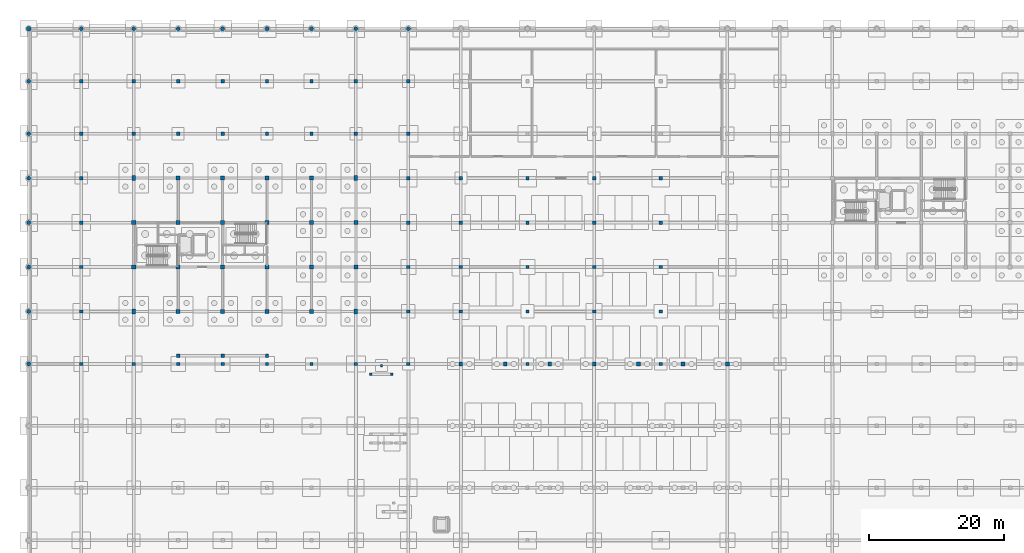
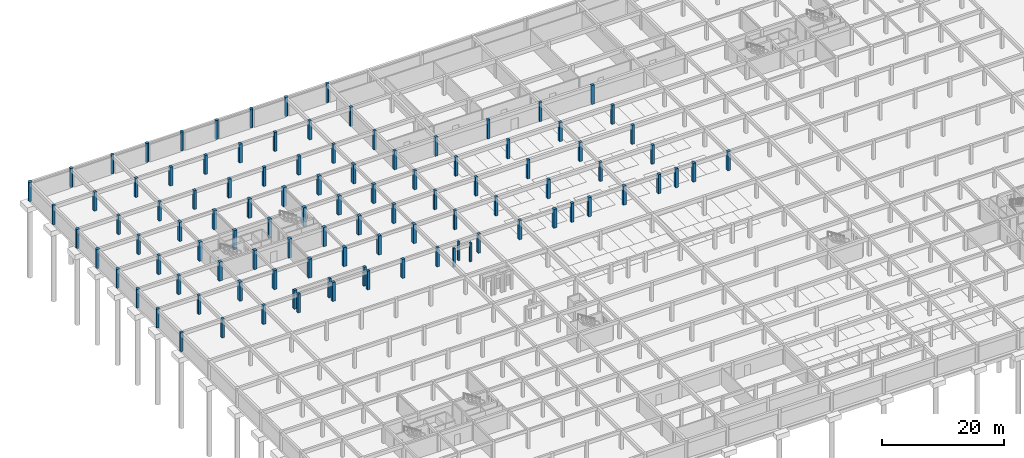
# One storey, part 13 of 37: 103 columns.
"""IFC4 building model written with IfcOpenShell, lengths in metres."""

from ifc_helpers import new_model, si_unit, direction, frame, origin, origin_2d, place, context, subcontext, project, spatial, rectangle, circle, extrude, material, material_profile, profile_set, type_object, element, save


model = new_model("IFC4")

# Units and contexts
model_context = context("Model", 3, precision=1e-05, world=origin(), true_north=direction((0.0, 1.0)))
body_context = subcontext(model_context, "Body", "Model", "MODEL_VIEW")
ifc_project = project(units=[si_unit("LENGTHUNIT", "METRE"), si_unit("AREAUNIT", "SQUARE_METRE"), si_unit("VOLUMEUNIT", "CUBIC_METRE"), si_unit("PLANEANGLEUNIT", "RADIAN"), si_unit("MASSUNIT", "GRAM", prefix="KILO")], contexts=[model_context])

# Site, building, storey
site_placement = place(None, origin())
site = spatial("IfcSite", under=ifc_project, at=site_placement, CompositionType="ELEMENT")
building_placement = place(site_placement, origin())
building = spatial("IfcBuilding", under=site, at=building_placement, Name="Kernevlak Ridge Housing Community", CompositionType="ELEMENT")
storey_placement = place(building_placement, frame((0.0, 0.0, -3.800048828125)))
storey = spatial("IfcBuildingStorey", under=building, at=storey_placement, Name="B1", CompositionType="ELEMENT", Elevation=-3.800048828125)

# Columns
ifc_material_1 = material(Name="Concrete C40/50", Category="concrete")
ifc_material_profile_1 = material_profile(ifc_material_1, rectangle(XDim=0.60009765625, YDim=0.60009765625, at=origin_2d()), Name="RC 600x600")
ifc_profile_set_1 = profile_set([ifc_material_profile_1], Name="Concrete C40/50")
column_type_1 = type_object("IfcColumnType", Name="C-01", PredefinedType="COLUMN", material=ifc_profile_set_1)
for number, where, z_axis, x_axis, name in (
    (1, (15.60009765625, 82.60009765625, 0.0), (0.0, 0.0, 1.0), (1.0, 0.0, 0.0), "Column C-01 COL-A-B1-00-1"),
    (2, (15.60009765625, 89.199951171875, 0.0), (0.0, 0.0, 1.0), (1.0, 0.0, 0.0), "Column C-01 COL-A-B1-00-2"),
    (3, (22.199951171875, 76.0, 0.0), (0.0, 0.0, 1.0), (1.0, 0.0, 0.0), "Column C-01 COL-A-B1-01-0"),
    (4, (22.199951171875, 82.60009765625, 0.0), (0.0, 0.0, 1.0), (1.0, 0.0, 0.0), "Column C-01 COL-A-B1-01-1"),
    (5, (22.199951171875, 89.199951171875, 0.0), (0.0, 0.0, 1.0), (1.0, 0.0, 0.0), "Column C-01 COL-A-B1-01-2"),
    (6, (22.199951171875, 95.800048828125, 0.0), (0.0, 0.0, 1.0), (1.0, 0.0, 0.0), "Column C-01 COL-A-B1-01-3"),
    (7, (28.800048828125, 76.0, 0.0), (0.0, 0.0, 1.0), (1.0, 0.0, 0.0), "Column C-01 COL-A-B1-02-0"),
    (8, (28.800048828125, 82.60009765625, 0.0), (0.0, 0.0, 1.0), (1.0, 0.0, 0.0), "Column C-01 COL-A-B1-02-1"),
    (9, (28.800048828125, 89.199951171875, 0.0), (0.0, 0.0, 1.0), (1.0, 0.0, 0.0), "Column C-01 COL-A-B1-02-2"),
    (10, (28.800048828125, 95.800048828125, 0.0), (0.0, 0.0, 1.0), (1.0, 0.0, 0.0), "Column C-01 COL-A-B1-02-3"),
    (11, (35.39990234375, 76.0, 0.0), (0.0, 0.0, 1.0), (1.0, 0.0, 0.0), "Column C-01 COL-A-B1-03-0"),
    (12, (35.39990234375, 82.60009765625, 0.0), (0.0, 0.0, 1.0), (1.0, 0.0, 0.0), "Column C-01 COL-A-B1-03-1"),
    (13, (35.39990234375, 89.199951171875, 0.0), (0.0, 0.0, 1.0), (1.0, 0.0, 0.0), "Column C-01 COL-A-B1-03-2"),
    (14, (35.39990234375, 95.800048828125, 0.0), (0.0, 0.0, 1.0), (1.0, 0.0, 0.0), "Column C-01 COL-A-B1-03-3"),
    (15, (42.0, 76.0, 0.0), (0.0, 0.0, 1.0), (1.0, 0.0, 0.0), "Column C-01 COL-A-B1-04-0"),
    (16, (42.0, 82.60009765625, 0.0), (0.0, 0.0, 1.0), (1.0, 0.0, 0.0), "Column C-01 COL-A-B1-04-1"),
    (17, (42.0, 89.199951171875, 0.0), (0.0, 0.0, 1.0), (1.0, 0.0, 0.0), "Column C-01 COL-A-B1-04-2"),
    (18, (42.0, 95.800048828125, 0.0), (0.0, 0.0, 1.0), (1.0, 0.0, 0.0), "Column C-01 COL-A-B1-04-3"),
    (19, (48.60009765625, 82.60009765625, 0.0), (0.0, 0.0, 1.0), (1.0, 0.0, 0.0), "Column C-01 COL-A-B1-05-1"),
    (20, (48.60009765625, 89.199951171875, 0.0), (0.0, 0.0, 1.0), (1.0, 0.0, 0.0), "Column C-01 COL-A-B1-05-2"),
):
    element("IfcColumn", number, at=place(storey_placement, frame(where, z_axis=z_axis, x_axis=x_axis)), inside=storey, type_object=column_type_1, Name=name, PredefinedType="COLUMN", context=body_context, shape_type="SweptSolid", body=[
        extrude(rectangle(XDim=0.60009765625, YDim=0.60009765625, at=origin_2d()), origin(), (0.0, 0.0, 1.0), 3.800048828125),
    ])
ifc_material_profile_2 = material_profile(ifc_material_1, rectangle(XDim=0.550048828125, YDim=0.550048828125, at=origin_2d()), Name="RC 550x550")
ifc_profile_set_2 = profile_set([ifc_material_profile_2], Name="Concrete C40/50")
column_type_2 = type_object("IfcColumnType", Name="C-02", PredefinedType="COLUMN", material=ifc_profile_set_2)
for number, where, z_axis, x_axis, name in (
    (21, (64.199951171875, 68.199951171875, 0.0), (0.0, 0.0, 1.0), (1.0, 0.0, 0.0), "Column C-02 COL-HALL-B1-0-1"),
    (22, (70.800048828125, 68.199951171875, 0.0), (0.0, 0.0, 1.0), (1.0, 0.0, 0.0), "Column C-02 COL-HALL-B1-1-1"),
    (23, (77.39990234375, 68.199951171875, 0.0), (0.0, 0.0, 1.0), (1.0, 0.0, 0.0), "Column C-02 COL-HALL-B1-2-1"),
    (24, (84.0, 68.199951171875, 0.0), (0.0, 0.0, 1.0), (1.0, 0.0, 0.0), "Column C-02 COL-HALL-B1-3-1"),
    (25, (90.60009765625, 68.199951171875, 0.0), (0.0, 0.0, 1.0), (1.0, 0.0, 0.0), "Column C-02 COL-HALL-B1-4-1"),
    (26, (97.199951171875, 68.199951171875, 0.0), (0.0, 0.0, 1.0), (1.0, 0.0, 0.0), "Column C-02 COL-HALL-B1-5-1"),
    (27, (103.800048828125, 68.199951171875, 0.0), (0.0, 0.0, 1.0), (1.0, 0.0, 0.0), "Column C-02 COL-HALL-B1-6-1"),
):
    element("IfcColumn", number, at=place(storey_placement, frame(where, z_axis=z_axis, x_axis=x_axis)), inside=storey, type_object=column_type_2, Name=name, PredefinedType="COLUMN", context=body_context, shape_type="SweptSolid", body=[
        extrude(rectangle(XDim=0.550048828125, YDim=0.550048828125, at=origin_2d()), origin(), (0.0, 0.0, 1.0), 3.800048828125),
    ])
ifc_material_profile_3 = material_profile(ifc_material_1, rectangle(XDim=0.5, YDim=0.5, at=origin_2d()), Name="RC 500x500")
ifc_profile_set_3 = profile_set([ifc_material_profile_3], Name="Concrete C40/50")
column_type_3 = type_object("IfcColumnType", Name="C-03", PredefinedType="COLUMN", material=ifc_profile_set_3)
for number, where, z_axis, x_axis, name in (
    (28, (7.800048828125, 68.199951171875, 0.0), (0.0, 0.0, 1.0), (1.0, 0.0, 0.0), "Column C-03 COL-POD-B1-026"),
    (29, (7.800048828125, 76.0, 0.0), (0.0, 0.0, 1.0), (1.0, 0.0, 0.0), "Column C-03 COL-POD-B1-027"),
    (30, (7.800048828125, 82.60009765625, 0.0), (0.0, 0.0, 1.0), (1.0, 0.0, 0.0), "Column C-03 COL-POD-B1-028"),
    (31, (7.800048828125, 89.199951171875, 0.0), (0.0, 0.0, 1.0), (1.0, 0.0, 0.0), "Column C-03 COL-POD-B1-029"),
    (32, (7.800048828125, 95.800048828125, 0.0), (0.0, 0.0, 1.0), (1.0, 0.0, 0.0), "Column C-03 COL-POD-B1-030"),
    (33, (7.800048828125, 102.39990234375, 0.0), (0.0, 0.0, 1.0), (1.0, 0.0, 0.0), "Column C-03 COL-POD-B1-031"),
    (34, (7.800048828125, 110.199951171875, 0.0), (0.0, 0.0, 1.0), (1.0, 0.0, 0.0), "Column C-03 COL-POD-B1-032"),
    (35, (15.60009765625, 68.199951171875, 0.0), (0.0, 0.0, 1.0), (1.0, 0.0, 0.0), "Column C-03 COL-POD-B1-039"),
    (36, (15.60009765625, 102.39990234375, 0.0), (0.0, 0.0, 1.0), (1.0, 0.0, 0.0), "Column C-03 COL-POD-B1-040"),
    (37, (15.60009765625, 110.199951171875, 0.0), (0.0, 0.0, 1.0), (1.0, 0.0, 0.0), "Column C-03 COL-POD-B1-041"),
    (38, (22.199951171875, 68.199951171875, 0.0), (0.0, 0.0, 1.0), (1.0, 0.0, 0.0), "Column C-03 COL-POD-B1-048"),
    (39, (22.199951171875, 102.39990234375, 0.0), (0.0, 0.0, 1.0), (1.0, 0.0, 0.0), "Column C-03 COL-POD-B1-049"),
    (40, (22.199951171875, 110.199951171875, 0.0), (0.0, 0.0, 1.0), (1.0, 0.0, 0.0), "Column C-03 COL-POD-B1-050"),
    (41, (28.800048828125, 68.199951171875, 0.0), (0.0, 0.0, 1.0), (1.0, 0.0, 0.0), "Column C-03 COL-POD-B1-057"),
    (42, (28.800048828125, 102.39990234375, 0.0), (0.0, 0.0, 1.0), (1.0, 0.0, 0.0), "Column C-03 COL-POD-B1-058"),
    (43, (28.800048828125, 110.199951171875, 0.0), (0.0, 0.0, 1.0), (1.0, 0.0, 0.0), "Column C-03 COL-POD-B1-059"),
    (44, (35.39990234375, 68.199951171875, 0.0), (0.0, 0.0, 1.0), (1.0, 0.0, 0.0), "Column C-03 COL-POD-B1-066"),
    (45, (35.39990234375, 102.39990234375, 0.0), (0.0, 0.0, 1.0), (1.0, 0.0, 0.0), "Column C-03 COL-POD-B1-067"),
    (46, (35.39990234375, 110.199951171875, 0.0), (0.0, 0.0, 1.0), (1.0, 0.0, 0.0), "Column C-03 COL-POD-B1-068"),
    (47, (42.0, 68.199951171875, 0.0), (0.0, 0.0, 1.0), (1.0, 0.0, 0.0), "Column C-03 COL-POD-B1-075"),
    (48, (42.0, 102.39990234375, 0.0), (0.0, 0.0, 1.0), (1.0, 0.0, 0.0), "Column C-03 COL-POD-B1-076"),
    (49, (42.0, 110.199951171875, 0.0), (0.0, 0.0, 1.0), (1.0, 0.0, 0.0), "Column C-03 COL-POD-B1-077"),
    (50, (48.60009765625, 68.199951171875, 0.0), (0.0, 0.0, 1.0), (1.0, 0.0, 0.0), "Column C-03 COL-POD-B1-088"),
    (51, (48.60009765625, 102.39990234375, 0.0), (0.0, 0.0, 1.0), (1.0, 0.0, 0.0), "Column C-03 COL-POD-B1-089"),
    (52, (48.60009765625, 110.199951171875, 0.0), (0.0, 0.0, 1.0), (1.0, 0.0, 0.0), "Column C-03 COL-POD-B1-090"),
    (53, (56.39990234375, 68.199951171875, 0.0), (0.0, 0.0, 1.0), (1.0, 0.0, 0.0), "Column C-03 COL-POD-B1-101"),
    (54, (56.39990234375, 76.0, 0.0), (0.0, 0.0, 1.0), (1.0, 0.0, 0.0), "Column C-03 COL-POD-B1-102"),
    (55, (56.39990234375, 82.60009765625, 0.0), (0.0, 0.0, 1.0), (1.0, 0.0, 0.0), "Column C-03 COL-POD-B1-103"),
    (56, (56.39990234375, 89.199951171875, 0.0), (0.0, 0.0, 1.0), (1.0, 0.0, 0.0), "Column C-03 COL-POD-B1-104"),
    (57, (56.39990234375, 95.800048828125, 0.0), (0.0, 0.0, 1.0), (1.0, 0.0, 0.0), "Column C-03 COL-POD-B1-105"),
    (58, (56.39990234375, 102.39990234375, 0.0), (0.0, 0.0, 1.0), (1.0, 0.0, 0.0), "Column C-03 COL-POD-B1-106"),
    (59, (56.39990234375, 110.199951171875, 0.0), (0.0, 0.0, 1.0), (1.0, 0.0, 0.0), "Column C-03 COL-POD-B1-107"),
    (60, (64.199951171875, 76.0, 0.0), (0.0, 0.0, 1.0), (1.0, 0.0, 0.0), "Column C-03 COL-POD-B1-119"),
    (61, (64.199951171875, 82.60009765625, 0.0), (0.0, 0.0, 1.0), (1.0, 0.0, 0.0), "Column C-03 COL-POD-B1-120"),
    (62, (64.199951171875, 89.199951171875, 0.0), (0.0, 0.0, 1.0), (1.0, 0.0, 0.0), "Column C-03 COL-POD-B1-121"),
    (63, (64.199951171875, 95.800048828125, 0.0), (0.0, 0.0, 1.0), (1.0, 0.0, 0.0), "Column C-03 COL-POD-B1-122"),
    (64, (74.10009765625, 68.199951171875, 0.0), (0.0, 0.0, 1.0), (1.0, 0.0, 0.0), "Column C-03 COL-POD-B1-135"),
    (65, (74.10009765625, 76.0, 0.0), (0.0, 0.0, 1.0), (1.0, 0.0, 0.0), "Column C-03 COL-POD-B1-136"),
    (66, (74.10009765625, 82.60009765625, 0.0), (0.0, 0.0, 1.0), (1.0, 0.0, 0.0), "Column C-03 COL-POD-B1-137"),
    (67, (74.10009765625, 89.199951171875, 0.0), (0.0, 0.0, 1.0), (1.0, 0.0, 0.0), "Column C-03 COL-POD-B1-138"),
    (68, (74.10009765625, 95.800048828125, 0.0), (0.0, 0.0, 1.0), (1.0, 0.0, 0.0), "Column C-03 COL-POD-B1-139"),
    (69, (84.0, 76.0, 0.0), (0.0, 0.0, 1.0), (1.0, 0.0, 0.0), "Column C-03 COL-POD-B1-153"),
    (70, (84.0, 82.60009765625, 0.0), (0.0, 0.0, 1.0), (1.0, 0.0, 0.0), "Column C-03 COL-POD-B1-154"),
    (71, (84.0, 89.199951171875, 0.0), (0.0, 0.0, 1.0), (1.0, 0.0, 0.0), "Column C-03 COL-POD-B1-155"),
    (72, (84.0, 95.800048828125, 0.0), (0.0, 0.0, 1.0), (1.0, 0.0, 0.0), "Column C-03 COL-POD-B1-156"),
    (73, (93.89990234375, 68.199951171875, 0.0), (0.0, 0.0, 1.0), (1.0, 0.0, 0.0), "Column C-03 COL-POD-B1-169"),
    (74, (93.89990234375, 76.0, 0.0), (0.0, 0.0, 1.0), (1.0, 0.0, 0.0), "Column C-03 COL-POD-B1-170"),
    (75, (93.89990234375, 82.60009765625, 0.0), (0.0, 0.0, 1.0), (1.0, 0.0, 0.0), "Column C-03 COL-POD-B1-171"),
    (76, (93.89990234375, 89.199951171875, 0.0), (0.0, 0.0, 1.0), (1.0, 0.0, 0.0), "Column C-03 COL-POD-B1-172"),
    (77, (93.89990234375, 95.800048828125, 0.0), (0.0, 0.0, 1.0), (1.0, 0.0, 0.0), "Column C-03 COL-POD-B1-173"),
    (78, (22.199951171875, 69.39990234375, 0.0), (0.0, 0.0, 1.0), (1.0, 0.0, 0.0), "Column C-03 COL-POD-B1-303"),
    (79, (28.800048828125, 69.39990234375, 0.0), (0.0, 0.0, 1.0), (1.0, 0.0, 0.0), "Column C-03 COL-POD-B1-304"),
    (80, (35.39990234375, 69.39990234375, 0.0), (0.0, 0.0, 1.0), (1.0, 0.0, 0.0), "Column C-03 COL-POD-B1-305"),
):
    element("IfcColumn", number, at=place(storey_placement, frame(where, z_axis=z_axis, x_axis=x_axis)), inside=storey, type_object=column_type_3, Name=name, PredefinedType="COLUMN", context=body_context, shape_type="SweptSolid", body=[
        extrude(rectangle(XDim=0.5, YDim=0.5, at=origin_2d()), origin(), (0.0, 0.0, 1.0), 3.800048828125),
    ])
ifc_material_2 = material(Name="Concrete C35/45", Category="concrete")
ifc_material_profile_4 = material_profile(ifc_material_2, rectangle(XDim=0.35009765625, YDim=0.35009765625, at=origin_2d()), Name="RC 350x350")
ifc_profile_set_4 = profile_set([ifc_material_profile_4], Name="Concrete C35/45")
column_type_4 = type_object("IfcColumnType", Name="C-06", PredefinedType="COLUMN", material=ifc_profile_set_4)
for number, where, z_axis, x_axis, name in (
    (81, (50.800048828125, 66.64990234375, 0.0), (0.0, 0.0, 1.0), (1.0, 0.0, 0.0), "Column C-06 COL-RMP-B1-04"),
    (82, (53.949951171875, 66.64990234375, 0.0), (0.0, 0.0, 1.0), (1.0, 0.0, 0.0), "Column C-06 COL-RMP-B1-05"),
    (83, (52.39990234375, 67.949951171875, 0.0), (0.0, 0.0, 1.0), (1.0, 0.0, 0.0), "Column C-06 COL-RMP-B1-06"),
):
    element("IfcColumn", number, at=place(storey_placement, frame(where, z_axis=z_axis, x_axis=x_axis)), inside=storey, type_object=column_type_4, Name=name, PredefinedType="COLUMN", context=body_context, shape_type="SweptSolid", body=[
        extrude(rectangle(XDim=0.35009765625, YDim=0.35009765625, at=origin_2d()), origin(), (0.0, 0.0, 1.0), 3.800048828125),
    ])
ifc_material_profile_5 = material_profile(ifc_material_1, rectangle(XDim=0.5, YDim=0.75, at=origin_2d()), Name="RC 500x750")
ifc_profile_set_5 = profile_set([ifc_material_profile_5], Name="Concrete C40/50")
column_type_5 = type_object("IfcColumnType", Name="C-07", PredefinedType="COLUMN", material=ifc_profile_set_5)
for number, where, z_axis, x_axis, name in (
    (84, (15.60009765625, 76.0, 0.0), (0.0, 0.0, 1.0), (1.0, 0.0, 0.0), "Column C-07 COL-A-B1-00-0"),
    (85, (15.60009765625, 95.800048828125, 0.0), (0.0, 0.0, 1.0), (1.0, 0.0, 0.0), "Column C-07 COL-A-B1-00-3"),
    (86, (48.60009765625, 76.0, 0.0), (0.0, 0.0, 1.0), (1.0, 0.0, 0.0), "Column C-07 COL-A-B1-05-0"),
    (87, (48.60009765625, 95.800048828125, 0.0), (0.0, 0.0, 1.0), (1.0, 0.0, 0.0), "Column C-07 COL-A-B1-05-3"),
):
    element("IfcColumn", number, at=place(storey_placement, frame(where, z_axis=z_axis, x_axis=x_axis)), inside=storey, type_object=column_type_5, Name=name, PredefinedType="COLUMN", context=body_context, shape_type="SweptSolid", body=[
        extrude(rectangle(XDim=0.5, YDim=0.75, at=origin_2d()), origin(), (0.0, 0.0, 1.0), 3.800048828125),
    ])
ifc_material_profile_6 = material_profile(ifc_material_1, circle(Radius=0.300048828125, at=origin_2d()), Name="RC D600")
ifc_profile_set_6 = profile_set([ifc_material_profile_6], Name="Concrete C40/50")
column_type_6 = type_object("IfcColumnType", Name="C-09", PredefinedType="COLUMN", material=ifc_profile_set_6)
for number, where, z_axis, x_axis, name in (
    (88, (0.0, 68.199951171875, 0.0), (0.0, 0.0, 1.0), (1.0, 0.0, 0.0), "Column C-09 COL-POD-B1-009"),
    (89, (0.0, 76.0, 0.0), (0.0, 0.0, 1.0), (1.0, 0.0, 0.0), "Column C-09 COL-POD-B1-010"),
    (90, (0.0, 82.60009765625, 0.0), (0.0, 0.0, 1.0), (1.0, 0.0, 0.0), "Column C-09 COL-POD-B1-011"),
    (91, (0.0, 89.199951171875, 0.0), (0.0, 0.0, 1.0), (1.0, 0.0, 0.0), "Column C-09 COL-POD-B1-012"),
    (92, (0.0, 95.800048828125, 0.0), (0.0, 0.0, 1.0), (1.0, 0.0, 0.0), "Column C-09 COL-POD-B1-013"),
    (93, (0.0, 102.39990234375, 0.0), (0.0, 0.0, 1.0), (1.0, 0.0, 0.0), "Column C-09 COL-POD-B1-014"),
    (94, (0.0, 110.199951171875, 0.0), (0.0, 0.0, 1.0), (1.0, 0.0, 0.0), "Column C-09 COL-POD-B1-015"),
    (95, (7.800048828125, 118.0, 0.0), (0.0, 0.0, 1.0), (1.0, 0.0, 0.0), "Column C-09 COL-POD-B1-033"),
    (96, (15.60009765625, 118.0, 0.0), (0.0, 0.0, 1.0), (1.0, 0.0, 0.0), "Column C-09 COL-POD-B1-042"),
    (97, (22.199951171875, 118.0, 0.0), (0.0, 0.0, 1.0), (1.0, 0.0, 0.0), "Column C-09 COL-POD-B1-051"),
    (98, (28.800048828125, 118.0, 0.0), (0.0, 0.0, 1.0), (1.0, 0.0, 0.0), "Column C-09 COL-POD-B1-060"),
    (99, (35.39990234375, 118.0, 0.0), (0.0, 0.0, 1.0), (1.0, 0.0, 0.0), "Column C-09 COL-POD-B1-069"),
    (100, (42.0, 118.0, 0.0), (0.0, 0.0, 1.0), (1.0, 0.0, 0.0), "Column C-09 COL-POD-B1-078"),
    (101, (48.60009765625, 118.0, 0.0), (0.0, 0.0, 1.0), (1.0, 0.0, 0.0), "Column C-09 COL-POD-B1-091"),
    (102, (56.39990234375, 118.0, 0.0), (0.0, 0.0, 1.0), (1.0, 0.0, 0.0), "Column C-09 COL-POD-B1-108"),
):
    element("IfcColumn", number, at=place(storey_placement, frame(where, z_axis=z_axis, x_axis=x_axis)), inside=storey, type_object=column_type_6, Name=name, PredefinedType="COLUMN", context=body_context, shape_type="SweptSolid", body=[
        extrude(circle(Radius=0.300048828125, at=origin_2d()), origin(), (0.0, 0.0, 1.0), 3.800048828125),
    ])
ifc_material_profile_7 = material_profile(ifc_material_1, circle(Radius=0.35009765625, at=origin_2d()), Name="RC D700")
ifc_profile_set_7 = profile_set([ifc_material_profile_7], Name="Concrete C40/50")
column_type_7 = type_object("IfcColumnType", Name="C-12", PredefinedType="COLUMN", material=ifc_profile_set_7)
column_placement = place(storey_placement, frame((0.0, 118.0, 0.0), z_axis=(0.0, 0.0, 1.0), x_axis=(1.0, 0.0, 0.0)))
element("IfcColumn", 103, at=column_placement, inside=storey, type_object=column_type_7, Name="Column C-12 COL-POD-B1-016", PredefinedType="COLUMN", context=body_context, shape_type="SweptSolid", body=[
    extrude(circle(Radius=0.35009765625, at=origin_2d()), origin(), (0.0, 0.0, 1.0), 3.800048828125),
])

save(model, "model.ifc")
